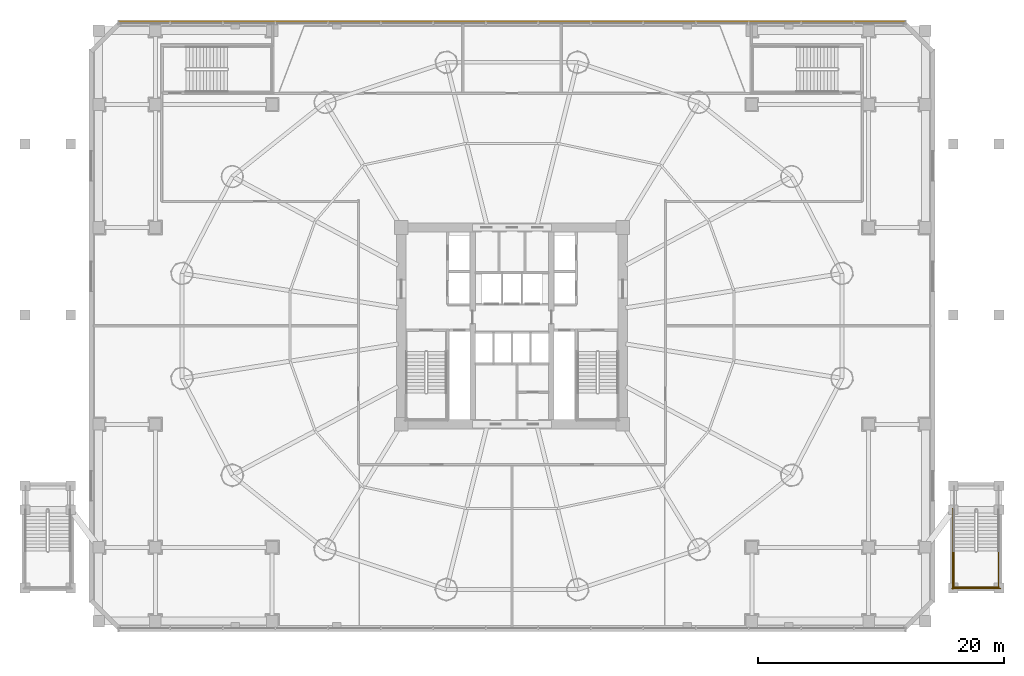
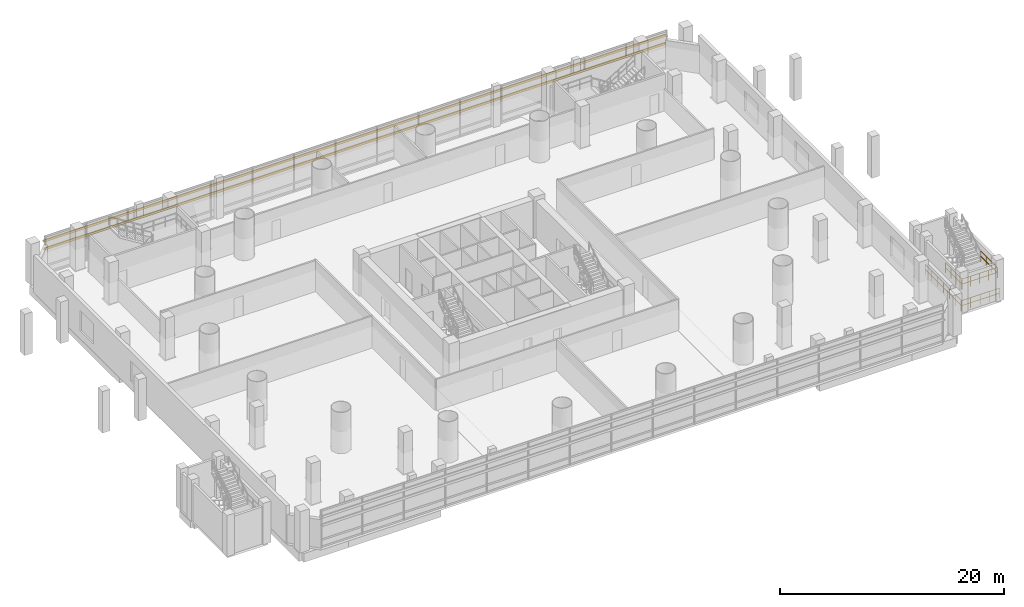
# One storey, part 34 of 36: 5 railings, 2 shading devices.
"""IFC4 building model written with IfcOpenShell, lengths in metres."""

from ifc_helpers import new_model, si_unit, direction, frame, origin, origin_2d, place, context, subcontext, project, spatial, rectangle, hollow_rectangle, extrude, source, transform, mapped, material, material_profile, profile_set, type_object, element, save


model = new_model("IFC4")

# Units and contexts
model_context = context("Model", 3, precision=1e-05, world=origin(), true_north=direction((-0.2419218956, 0.970295726276)))
body_context = subcontext(model_context, "Body", "Model", "MODEL_VIEW")
ifc_project = project(units=[si_unit("LENGTHUNIT", "METRE"), si_unit("AREAUNIT", "SQUARE_METRE"), si_unit("VOLUMEUNIT", "CUBIC_METRE"), si_unit("PLANEANGLEUNIT", "RADIAN"), si_unit("MASSUNIT", "GRAM", prefix="KILO")], contexts=[model_context])

# Site, building, storey
site_placement = place(None, origin())
site = spatial("IfcSite", under=ifc_project, at=site_placement, CompositionType="ELEMENT")
building_placement = place(site_placement, origin())
building = spatial("IfcBuilding", under=site, at=building_placement, Name="Cobrevalo Terracotta Tower", CompositionType="ELEMENT")
storey_placement = place(building_placement, frame((0.0, 0.0, 14.39990234375)))
storey = spatial("IfcBuildingStorey", under=building, at=storey_placement, Name="L03", CompositionType="ELEMENT", Elevation=14.39990234375)

# Railings
ifc_material_1 = material(Name="Painted galvanized steel", Category="steel")
railing_type = type_object("IfcRailingType", Name="Stair Well Guard Balustrade 1150", PredefinedType="GUARDRAIL", material=ifc_material_1)
for number, where, name in (
    (1, (73.929931640625, 8.489990234375, 2.25), "L03 ST-EXT-E stair guard 3"),
    (2, (77.550048828125, 8.489990234375, 2.25), "L03 ST-EXT-E stair guard 4"),
):
    element("IfcRailing", number, at=place(storey_placement, frame(where)), inside=storey, type_object=railing_type, Name=name, PredefinedType="GUARDRAIL", context=body_context, shape_type="SweptSolid", body=[
        extrude(rectangle(XDim=0.048095703125, YDim=0.048095703125, at=origin_2d()), frame((0.0, 0.0, 1.1259765625), z_axis=(0.0, -1.0, 0.0), x_axis=(1.0, 0.0, 0.0)), (0.0, 0.0, 1.0), 2.989990234375),
        extrude(rectangle(XDim=0.048095703125, YDim=0.048095703125, at=origin_2d()), frame((0.0, 0.0, 0.574951171875), z_axis=(0.0, -1.0, 0.0), x_axis=(1.0, 0.0, 0.0)), (0.0, 0.0, 1.0), 2.989990234375),
        extrude(rectangle(XDim=0.0419921875, YDim=0.0419921875, at=origin_2d()), origin(), (0.0, 0.0, 1.0), 1.101806640625),
        extrude(rectangle(XDim=0.0419921875, YDim=0.0419921875, at=origin_2d()), frame((0.0, -0.99658203125, 0.0)), (0.0, 0.0, 1.0), 1.101806640625),
        extrude(rectangle(XDim=0.0419921875, YDim=0.0419921875, at=origin_2d()), frame((0.0, -1.993408203125, 0.0)), (0.0, 0.0, 1.0), 1.101806640625),
        extrude(rectangle(XDim=0.0419921875, YDim=0.0419921875, at=origin_2d()), frame((0.0, -2.989990234375, 0.0)), (0.0, 0.0, 1.0), 1.101806640625),
    ])
railing_1_placement = place(storey_placement, frame((73.8798828125, 5.550048828125, 2.25)))
element("IfcRailing", 3, at=railing_1_placement, inside=storey, type_object=railing_type, Name="L03 ST-EXT-E stair guard 5", PredefinedType="GUARDRAIL", context=body_context, shape_type="SweptSolid", body=[
    extrude(rectangle(XDim=0.048095703125, YDim=0.048095703125, at=origin_2d()), frame((0.0, 0.0, 1.1259765625), z_axis=(1.0, 0.0, 0.0), x_axis=(0.0, 1.0, 0.0)), (0.0, 0.0, 1.0), 3.72021484375),
    extrude(rectangle(XDim=0.048095703125, YDim=0.048095703125, at=origin_2d()), frame((0.0, 0.0, 0.574951171875), z_axis=(1.0, 0.0, 0.0), x_axis=(0.0, 1.0, 0.0)), (0.0, 0.0, 1.0), 3.72021484375),
    extrude(rectangle(XDim=0.0419921875, YDim=0.0419921875, at=origin_2d()), origin(), (0.0, 0.0, 1.0), 1.101806640625),
    extrude(rectangle(XDim=0.0419921875, YDim=0.0419921875, at=origin_2d()), frame((0.93017578125, 0.0, 0.0)), (0.0, 0.0, 1.0), 1.101806640625),
    extrude(rectangle(XDim=0.0419921875, YDim=0.0419921875, at=origin_2d()), frame((1.860107421875, 0.0, 0.0)), (0.0, 0.0, 1.0), 1.101806640625),
    extrude(rectangle(XDim=0.0419921875, YDim=0.0419921875, at=origin_2d()), frame((2.7900390625, 0.0, 0.0)), (0.0, 0.0, 1.0), 1.101806640625),
    extrude(rectangle(XDim=0.0419921875, YDim=0.0419921875, at=origin_2d()), frame((3.72021484375, 0.0, 0.0)), (0.0, 0.0, 1.0), 1.101806640625),
])
railing_2_placement = place(storey_placement, frame((73.830078125, 11.949951171875, 0.0)))
element("IfcRailing", 4, at=railing_2_placement, inside=storey, type_object=railing_type, Name="L03 ST-EXT-E stair guard 10", PredefinedType="GUARDRAIL", context=body_context, shape_type="SweptSolid", body=[
    extrude(rectangle(XDim=0.048095703125, YDim=0.048095703125, at=origin_2d()), frame((0.0, 0.0, 1.1259765625), z_axis=(0.0, -1.0, 0.0), x_axis=(1.0, 0.0, 0.0)), (0.0, 0.0, 1.0), 6.550048828125),
    extrude(rectangle(XDim=0.048095703125, YDim=0.048095703125, at=origin_2d()), frame((0.0, 0.0, 0.574951171875), z_axis=(0.0, -1.0, 0.0), x_axis=(1.0, 0.0, 0.0)), (0.0, 0.0, 1.0), 6.550048828125),
    extrude(rectangle(XDim=0.0419921875, YDim=0.0419921875, at=origin_2d()), origin(), (0.0, 0.0, 1.0), 1.101806640625),
    extrude(rectangle(XDim=0.0419921875, YDim=0.0419921875, at=origin_2d()), frame((0.0, -1.091796875, 0.0)), (0.0, 0.0, 1.0), 1.101806640625),
    extrude(rectangle(XDim=0.0419921875, YDim=0.0419921875, at=origin_2d()), frame((0.0, -2.183349609375, 0.0)), (0.0, 0.0, 1.0), 1.101806640625),
    extrude(rectangle(XDim=0.0419921875, YDim=0.0419921875, at=origin_2d()), frame((0.0, -3.27490234375, 0.0)), (0.0, 0.0, 1.0), 1.101806640625),
    extrude(rectangle(XDim=0.0419921875, YDim=0.0419921875, at=origin_2d()), frame((0.0, -4.36669921875, 0.0)), (0.0, 0.0, 1.0), 1.101806640625),
    extrude(rectangle(XDim=0.0419921875, YDim=0.0419921875, at=origin_2d()), frame((0.0, -5.45849609375, 0.0)), (0.0, 0.0, 1.0), 1.101806640625),
    extrude(rectangle(XDim=0.0419921875, YDim=0.0419921875, at=origin_2d()), frame((0.0, -6.550048828125, 0.0)), (0.0, 0.0, 1.0), 1.101806640625),
])
railing_3_placement = place(storey_placement, frame((73.780029296875, 5.449951171875, 0.0)))
element("IfcRailing", 5, at=railing_3_placement, inside=storey, type_object=railing_type, Name="L03 ST-EXT-E stair guard 12", PredefinedType="GUARDRAIL", context=body_context, shape_type="SweptSolid", body=[
    extrude(rectangle(XDim=0.048095703125, YDim=0.048095703125, at=origin_2d()), frame((0.0, 0.0, 1.1259765625), z_axis=(1.0, 0.0, 0.0), x_axis=(0.0, 1.0, 0.0)), (0.0, 0.0, 1.0), 3.919921875),
    extrude(rectangle(XDim=0.048095703125, YDim=0.048095703125, at=origin_2d()), frame((0.0, 0.0, 0.574951171875), z_axis=(1.0, 0.0, 0.0), x_axis=(0.0, 1.0, 0.0)), (0.0, 0.0, 1.0), 3.919921875),
    extrude(rectangle(XDim=0.0419921875, YDim=0.0419921875, at=origin_2d()), origin(), (0.0, 0.0, 1.0), 1.101806640625),
    extrude(rectangle(XDim=0.0419921875, YDim=0.0419921875, at=origin_2d()), frame((0.97998046875, 0.0, 0.0)), (0.0, 0.0, 1.0), 1.101806640625),
    extrude(rectangle(XDim=0.0419921875, YDim=0.0419921875, at=origin_2d()), frame((1.9599609375, 0.0, 0.0)), (0.0, 0.0, 1.0), 1.101806640625),
    extrude(rectangle(XDim=0.0419921875, YDim=0.0419921875, at=origin_2d()), frame((2.93994140625, 0.0, 0.0)), (0.0, 0.0, 1.0), 1.101806640625),
    extrude(rectangle(XDim=0.0419921875, YDim=0.0419921875, at=origin_2d()), frame((3.919921875, 0.0, 0.0)), (0.0, 0.0, 1.0), 1.101806640625),
])

# Shading devices
ifc_material_2 = material(Name="Extruded fired architectural terracotta", Category="masonry")
ifc_material_profile = material_profile(ifc_material_2, hollow_rectangle(XDim=0.110107421875, YDim=0.239990234375, WallThickness=0.01806640625, at=origin_2d()), Name="BAGUETTE 110x240")
ifc_profile_set = profile_set([ifc_material_profile], Name="Extruded fired architectural terracotta")
shading_device_type = type_object("IfcShadingDeviceType", Name="Horizontal Terracotta Baguette Screen 110x240", PredefinedType="USERDEFINED", material=ifc_profile_set)
shared_shape = source(origin(), body_context, "Body", "SweptSolid", [
    extrude(hollow_rectangle(XDim=0.110107421875, YDim=0.239990234375, WallThickness=0.01806640625, at=origin_2d()), origin(), (0.0, 0.0, 1.0), 64.02001953125),
])
for number, where, z_axis, x_axis, name in (
    (6, (70.010009765625, 51.580078125, 2.510986328125), (-1.0, 0.0, 0.0), (0.0, -1.0, 0.0), "CW-POD-L03-N horizontal terracotta baguette 1"),
    (7, (70.010009765625, 51.580078125, 3.402099609375), (-1.0, 0.0, 0.0), (0.0, -1.0, 0.0), "CW-POD-L03-N horizontal terracotta baguette 2"),
):
    element("IfcShadingDevice", number, at=place(storey_placement, frame(where, z_axis=z_axis, x_axis=x_axis)), inside=storey, type_object=shading_device_type, Name=name, ObjectType="BAGUETTE", PredefinedType="USERDEFINED", context=body_context, shape_type="MappedRepresentation", body=[
        mapped(shared_shape, transform((0.0, 0.0, 0.0), scale=1.0)),
    ])

save(model, "model.ifc")
